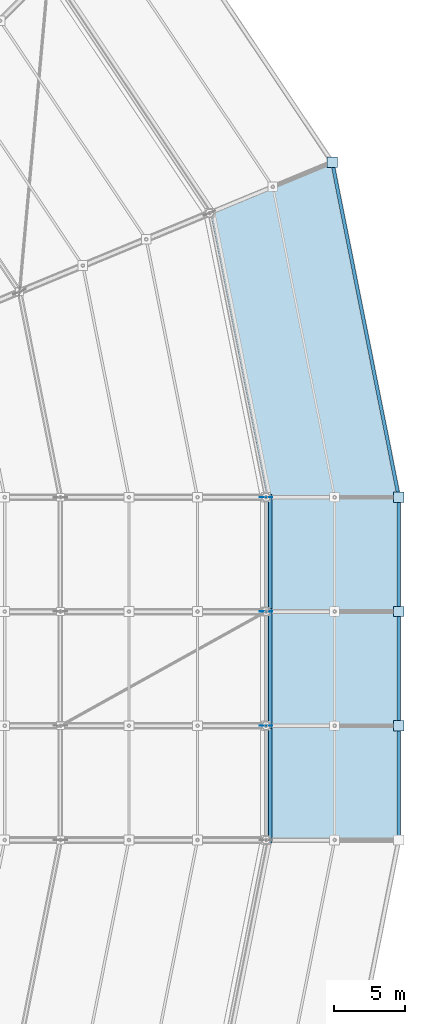
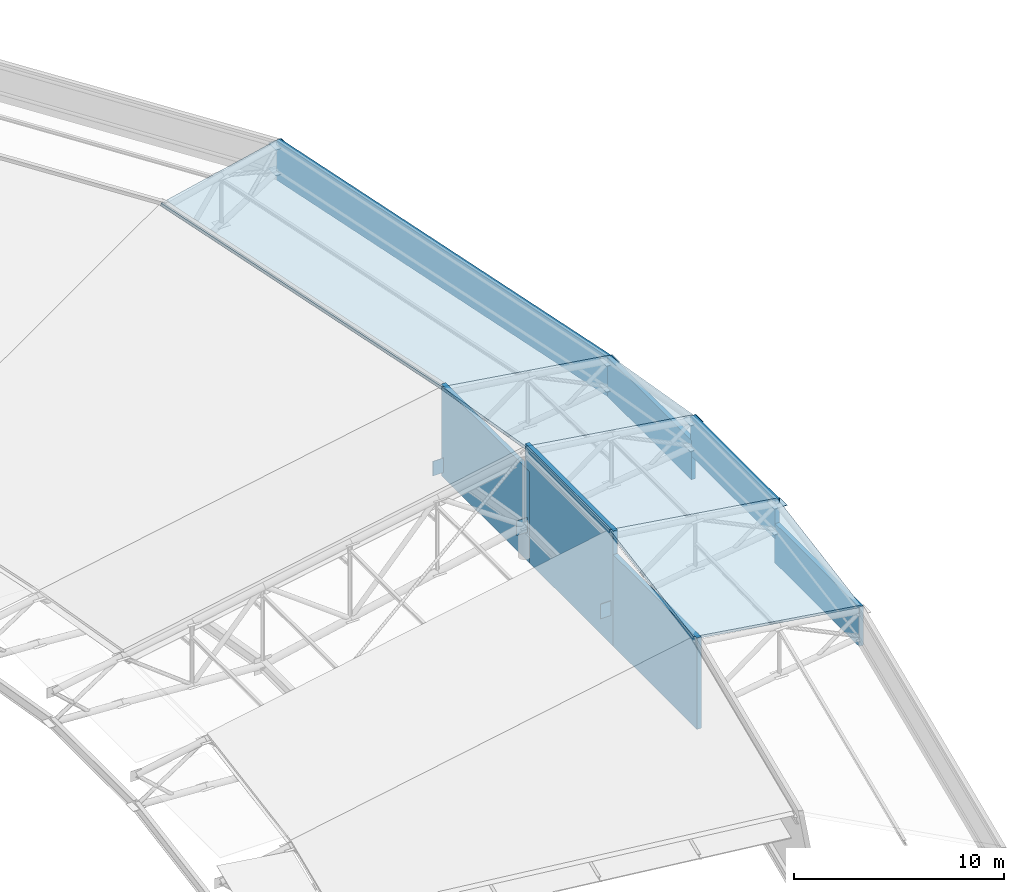
# One storey, part 120 of 146: 18 plates, 4 slabs.
"""IFC4 building model written with IfcOpenShell, lengths in metres."""

from ifc_helpers import new_model, si_unit, direction, frame, origin, origin_2d, place, context, subcontext, project, spatial, polyline, rectangle, outline, extrude, material, layer, layer_set, type_object, element, save


model = new_model("IFC4")

# Units and contexts
model_context = context("Model", 3, precision=1e-05, world=origin(), true_north=direction((0.0, 1.0)))
body_context = subcontext(model_context, "Body", "Model", "MODEL_VIEW")
ifc_project = project(units=[si_unit("LENGTHUNIT", "METRE"), si_unit("AREAUNIT", "SQUARE_METRE"), si_unit("VOLUMEUNIT", "CUBIC_METRE"), si_unit("PLANEANGLEUNIT", "RADIAN"), si_unit("MASSUNIT", "GRAM", prefix="KILO")], contexts=[model_context])

# Site, building, storey
site_placement = place(None, origin())
site = spatial("IfcSite", under=ifc_project, at=site_placement, CompositionType="ELEMENT")
building_placement = place(site_placement, origin())
building = spatial("IfcBuilding", under=site, at=building_placement, Name="Candeia Ridge Stadium", CompositionType="ELEMENT")
storey_placement = place(building_placement, frame((0.0, 0.0, 31.800048828125)))
storey = spatial("IfcBuildingStorey", under=building, at=storey_placement, Name="RF", CompositionType="ELEMENT", Elevation=31.800048828125)

# Plates
ifc_material_1 = material(Name="Aluminium Anodized Warm Bronze", Category="aluminium")
ifc_layer_1 = layer(ifc_material_1, 0.239990234375, Name="Aluminium Anodized Warm Bronze", Category="aluminium")
ifc_layer_set_1 = layer_set([ifc_layer_1], Name="Aluminium Anodized Warm Bronze")
plate_type_1 = type_object("IfcPlateType", Name="Crown Perforated Bronze Acoustic Screen", PredefinedType="SHEET", material=ifc_layer_set_1)
plate_1_placement = place(storey_placement, frame((193.280029296875, 75.0, -0.3251953125), z_axis=(0.0, 0.0, 1.0), x_axis=(0.0, 1.0, 0.0)))
element("IfcPlate", 1, at=plate_1_placement, inside=storey, type_object=plate_type_1, Name="Crown perforated bronze acoustic screen RF bay 30", PredefinedType="SHEET", context=body_context, shape_type="SweptSolid", body=[
    extrude(rectangle(XDim=8.39990234375, YDim=0.239990234375, at=origin_2d()), origin(), (0.0, 0.0, 1.0), 5.330078125),
])
plate_2_placement = place(storey_placement, frame((202.300048828125, 75.0, 1.25), z_axis=(0.0, 0.0, 1.0), x_axis=(0.0, 1.0, 0.0)))
element("IfcPlate", 2, at=plate_2_placement, inside=storey, type_object=plate_type_1, Name="Saddle roof outer eaves warm-bronze fascia bay 30", PredefinedType="SHEET", context=body_context, shape_type="SweptSolid", body=[
    extrude(rectangle(XDim=8.06005859375, YDim=0.239990234375, at=origin_2d()), origin(), (0.0, 0.0, 1.0), 2.300048828125),
])
plate_3_placement = place(storey_placement, frame((193.280029296875, 83.0, -0.3251953125), z_axis=(0.0, 0.0, 1.0), x_axis=(0.0, 1.0, 0.0)))
element("IfcPlate", 3, at=plate_3_placement, inside=storey, type_object=plate_type_1, Name="Crown perforated bronze acoustic screen RF bay 31", PredefinedType="SHEET", context=body_context, shape_type="SweptSolid", body=[
    extrude(rectangle(XDim=8.39990234375, YDim=0.239990234375, at=origin_2d()), origin(), (0.0, 0.0, 1.0), 6.715576171875),
])
plate_4_placement = place(storey_placement, frame((202.300048828125, 83.0, 2.6357421875), z_axis=(0.0, 0.0, 1.0), x_axis=(0.0, 1.0, 0.0)))
element("IfcPlate", 4, at=plate_4_placement, inside=storey, type_object=plate_type_1, Name="Saddle roof outer eaves warm-bronze fascia bay 31", PredefinedType="SHEET", context=body_context, shape_type="SweptSolid", body=[
    extrude(rectangle(XDim=8.06005859375, YDim=0.239990234375, at=origin_2d()), origin(), (0.0, 0.0, 1.0), 2.300048828125),
])
plate_5_placement = place(storey_placement, frame((193.280029296875, 91.0, -0.3251953125), z_axis=(0.0, 0.0, 1.0), x_axis=(0.0, 1.0, 0.0)))
element("IfcPlate", 5, at=plate_5_placement, inside=storey, type_object=plate_type_1, Name="Crown perforated bronze acoustic screen RF bay 32", PredefinedType="SHEET", context=body_context, shape_type="SweptSolid", body=[
    extrude(rectangle(XDim=8.39990234375, YDim=0.239990234375, at=origin_2d()), origin(), (0.0, 0.0, 1.0), 5.330078125),
])
plate_6_placement = place(storey_placement, frame((202.300048828125, 91.0, 1.25), z_axis=(0.0, 0.0, 1.0), x_axis=(0.0, 1.0, 0.0)))
element("IfcPlate", 6, at=plate_6_placement, inside=storey, type_object=plate_type_1, Name="Saddle roof outer eaves warm-bronze fascia bay 32", PredefinedType="SHEET", context=body_context, shape_type="SweptSolid", body=[
    extrude(rectangle(XDim=8.06005859375, YDim=0.239990234375, at=origin_2d()), origin(), (0.0, 0.0, 1.0), 2.300048828125),
])
plate_7_placement = place(storey_placement, frame((199.966796875, 106.729248046875, 1.25), z_axis=(0.0, 0.0, 1.0), x_axis=(-0.195090339048, 0.980785277015, 0.0)))
element("IfcPlate", 7, at=plate_7_placement, inside=storey, type_object=plate_type_1, Name="Saddle roof outer eaves warm-bronze fascia bay 33", PredefinedType="SHEET", context=body_context, shape_type="SweptSolid", body=[
    extrude(rectangle(XDim=23.97802734375, YDim=0.239990234375, at=origin_2d()), origin(), (0.0, 0.0, 1.0), 2.300048828125),
])
ifc_material_2 = material(Name="Steel ASTM A572 Grade 50", Category="steel")
ifc_layer_2 = layer(ifc_material_2, 0.02490234375, Name="Steel ASTM A572 Grade 50", Category="steel")
ifc_layer_set_2 = layer_set([ifc_layer_2], Name="Steel ASTM A572 Grade 50")
plate_type_2 = type_object("IfcPlateType", Name="Hollow Section End Closure Plate CP2", PredefinedType="SHEET", material=ifc_layer_set_2)
for number, where, z_axis, x_axis, name in (
    (8, (202.300048828125, 79.0, 4.654052734375), (0.0, 0.0, 1.0), (1.0, 0.0, 0.0), "Hollow section end closure plate TCAP-EAVE-30"),
    (9, (202.300048828125, 79.0, 3.154052734375), (0.0, 0.0, 1.0), (1.0, 0.0, 0.0), "Hollow section end closure plate BCAP-EAVE-30"),
    (10, (202.300048828125, 87.0, 4.654052734375), (0.0, 0.0, 1.0), (1.0, 0.0, 0.0), "Hollow section end closure plate TCAP-EAVE-31"),
    (11, (202.300048828125, 87.0, 3.154052734375), (0.0, 0.0, 1.0), (1.0, 0.0, 0.0), "Hollow section end closure plate BCAP-EAVE-31"),
    (12, (202.300048828125, 95.0, 3.2685546875), (0.0, 0.0, 1.0), (1.0, 0.0, 0.0), "Hollow section end closure plate TCAP-EAVE-32"),
    (13, (202.300048828125, 95.0, 1.7685546875), (0.0, 0.0, 1.0), (1.0, 0.0, 0.0), "Hollow section end closure plate BCAP-EAVE-32"),
    (14, (197.6337890625, 118.45849609375, 3.2685546875), (0.0, 0.0, 1.0), (1.0, 0.0, 0.0), "Hollow section end closure plate TCAP-EAVE-33"),
    (15, (197.6337890625, 118.45849609375, 1.7685546875), (0.0, 0.0, 1.0), (1.0, 0.0, 0.0), "Hollow section end closure plate BCAP-EAVE-33"),
):
    element("IfcPlate", number, at=place(storey_placement, frame(where, z_axis=z_axis, x_axis=x_axis)), inside=storey, type_object=plate_type_2, Name=name, PredefinedType="SHEET", context=body_context, shape_type="SweptSolid", body=[
        extrude(rectangle(XDim=0.719970703125, YDim=0.719970703125, at=origin_2d()), origin(), (0.0, 0.0, 1.0), 0.02490234375),
    ])
ifc_layer_3 = layer(ifc_material_2, 0.028076171875, Name="Steel ASTM A572 Grade 50", Category="steel")
ifc_layer_set_3 = layer_set([ifc_layer_3], Name="Steel ASTM A572 Grade 50")
plate_type_3 = type_object("IfcPlateType", Name="Roof Truss Outer Tie Node Gusset ND-2", PredefinedType="USERDEFINED", material=ifc_layer_set_3)
for number, where, z_axis, x_axis, name in (
    (16, (193.0, 79.0, 1.360595703125), (0.0, 0.0, 1.0), (1.0, 0.0, 0.0), "Roof truss outer support node ND-2 bay 31"),
    (17, (193.0, 87.0, 1.360595703125), (0.0, 0.0, 1.0), (1.0, 0.0, 0.0), "Roof truss outer support node ND-2 bay 32"),
    (18, (193.0, 95.0, -0.025146484375), (0.0, 0.0, 1.0), (1.0, 0.0, 0.0), "Roof truss outer support node ND-2 bay 33"),
):
    element("IfcPlate", number, at=place(storey_placement, frame(where, z_axis=z_axis, x_axis=x_axis)), inside=storey, type_object=plate_type_3, Name=name, ObjectType="GUSSET PLATE", PredefinedType="USERDEFINED", context=body_context, shape_type="SweptSolid", body=[
        extrude(rectangle(XDim=0.85009765625, YDim=0.028076171875, at=origin_2d()), origin(), (0.0, 0.0, 1.0), 0.85009765625),
    ])

# Slabs
ifc_layer_4 = layer(ifc_material_2, 0.1650390625, Name="Steel ASTM A572 Grade 50", Category="steel")
ifc_layer_set_4 = layer_set([ifc_layer_4], Name="Steel ASTM A572 Grade 50")
slab_type = type_object("IfcSlabType", Name="Saddle Eaves Roof Deck 165", PredefinedType="ROOF", material=ifc_layer_set_4)
slab_1_placement = place(storey_placement, frame((193.080078125, 71.0, 4.988037109375), z_axis=(0.146746697353, -0.168857334273, 0.974655122327), x_axis=(0.0, 0.985322117702, 0.170705372992)))
element("IfcSlab", 19, at=slab_1_placement, inside=storey, type_object=slab_type, Name="Stadium saddle roof eave deck bay 30", PredefinedType="ROOF", context=body_context, shape_type="SweptSolid", body=[
    extrude(outline(polyline([(0.0, 0.0), (8.11917225471596, -2.7755575615628914e-17), (7.882201856563932, -9.320877559910313), (-0.23697039815202675, -9.320877559910313), (0.0, 0.0)])), origin(), (0.0, 0.0, -1.0), 0.1650390625),
])
slab_2_placement = place(storey_placement, frame((193.080078125, 79.0, 6.3740234375), z_axis=(0.148884605436, 0.0, 0.988854576904), x_axis=(0.0, 1.0, 0.0)))
element("IfcSlab", 20, at=slab_2_placement, inside=storey, type_object=slab_type, Name="Stadium saddle roof eave deck bay 31", PredefinedType="ROOF", context=body_context, shape_type="SweptSolid", body=[
    extrude(outline(polyline([(0.0, 0.0), (8.0, 0.0), (8.0, -9.323889395334973), (0.0, -9.323889395334973), (0.0, 0.0)])), origin(), (0.0, 0.0, -1.0), 0.1650390625),
])
slab_3_placement = place(storey_placement, frame((193.080078125, 87.0, 6.3740234375), z_axis=(0.146746697353, 0.168857334273, 0.974655122327), x_axis=(0.0, 0.985322117702, -0.170705372992)))
element("IfcSlab", 21, at=slab_3_placement, inside=storey, type_object=slab_type, Name="Stadium saddle roof eave deck bay 32", PredefinedType="ROOF", context=body_context, shape_type="SweptSolid", body=[
    extrude(outline(polyline([(0.0, 0.0), (8.11917225471596, 2.7755575615628914e-17), (8.356142652867986, -9.320877559910313), (0.23697039815202675, -9.320877559910313), (0.0, 0.0)])), origin(), (0.0, 0.0, -1.0), 0.1650390625),
])
slab_4_placement = place(storey_placement, frame((193.080078125, 95.0, 4.988037109375), z_axis=(0.148820532569, 0.029601315607, 0.988421069788), x_axis=(-0.195081003438, 0.980787133937, -5.36886e-07)))
element("IfcSlab", 22, at=slab_4_placement, inside=storey, type_object=slab_type, Name="Stadium saddle roof eave deck bay 33", PredefinedType="ROOF", context=body_context, shape_type="SweptSolid", body=[
    extrude(outline(polyline([(0.0, 0.0), (20.320343349009452, 0.0), (22.118922869347795, -9.148603290923226), (-1.7986403911399411, -9.148759817575172), (0.0, 0.0)])), origin(), (0.0, 0.0, -1.0), 0.1650390625),
])

save(model, "model.ifc")
